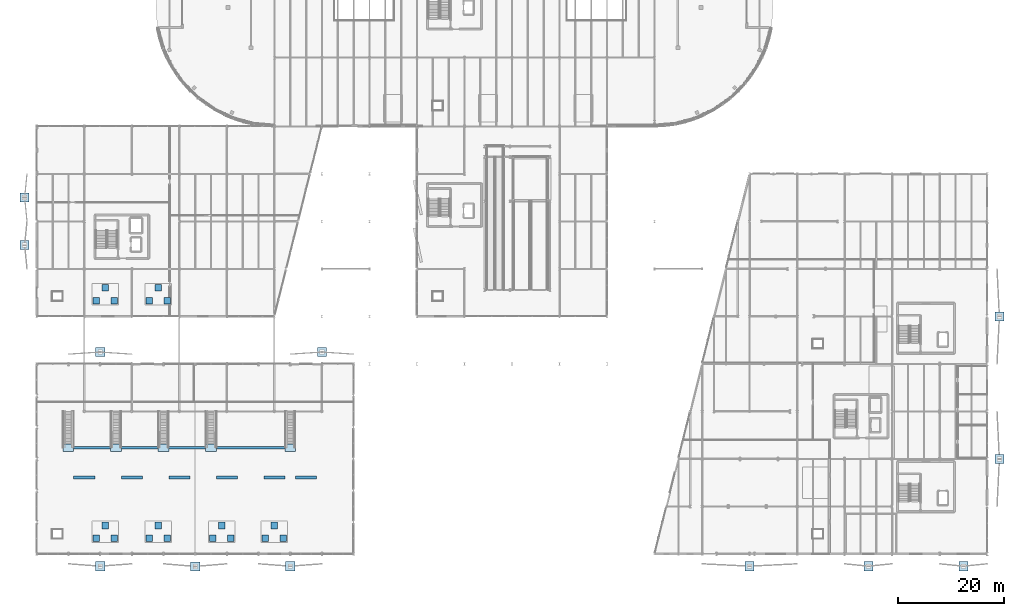
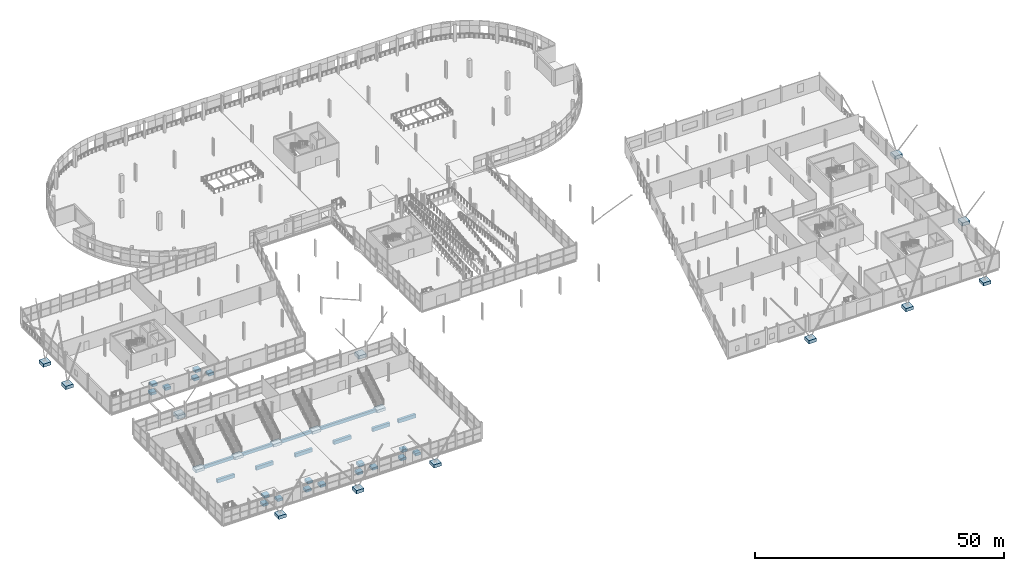
# One storey, part 1 of 140: 45 footings.
"""IFC4 building model written with IfcOpenShell, lengths in metres."""

from ifc_helpers import new_model, si_unit, direction, frame, origin, origin_2d, place, context, subcontext, project, spatial, rectangle, extrude, material, material_profile, profile_set, type_object, element, save


model = new_model("IFC4")

# Units and contexts
model_context = context("Model", 3, precision=1e-05, world=origin(), true_north=direction((0.0, 1.0)))
body_context = subcontext(model_context, "Body", "Model", "MODEL_VIEW")
ifc_project = project(units=[si_unit("LENGTHUNIT", "METRE"), si_unit("AREAUNIT", "SQUARE_METRE"), si_unit("VOLUMEUNIT", "CUBIC_METRE"), si_unit("PLANEANGLEUNIT", "RADIAN"), si_unit("MASSUNIT", "GRAM", prefix="KILO")], contexts=[model_context])

# Site, building, storey
site_placement = place(None, origin())
site = spatial("IfcSite", under=ifc_project, at=site_placement, CompositionType="ELEMENT")
building_placement = place(site_placement, origin())
building = spatial("IfcBuilding", under=site, at=building_placement, Name="Deido Ridge Mobility Hub", CompositionType="ELEMENT")
storey_placement = place(building_placement, origin())
storey = spatial("IfcBuildingStorey", under=building, at=storey_placement, Name="L00", CompositionType="ELEMENT", Elevation=0.0)

# Footings
ifc_material = material(Name="Concrete C40/50", Category="concrete")
footing_type_1 = type_object("IfcFootingType", Name="FTG-PF-1250X1250X650", PredefinedType="PAD_FOOTING", material=ifc_material)
for number, where, z_axis, x_axis, name in (
    (1, (11.300048828125, 3.0, -0.8798828125), (0.0, 0.0, 1.0), (1.0, 0.0, 0.0), "Pad footing PF48"),
    (2, (14.699951171875, 3.0, -0.8798828125), (0.0, 0.0, 1.0), (1.0, 0.0, 0.0), "Pad footing PF48"),
    (3, (13.0, 5.39990234375, -0.8798828125), (0.0, 0.0, 1.0), (1.0, 0.0, 0.0), "Pad footing PF48"),
    (4, (21.300048828125, 3.0, -0.8798828125), (0.0, 0.0, 1.0), (1.0, 0.0, 0.0), "Pad footing PF48"),
    (5, (24.699951171875, 3.0, -0.8798828125), (0.0, 0.0, 1.0), (1.0, 0.0, 0.0), "Pad footing PF48"),
    (6, (23.0, 5.39990234375, -0.8798828125), (0.0, 0.0, 1.0), (1.0, 0.0, 0.0), "Pad footing PF48"),
    (7, (33.300048828125, 3.0, -0.8798828125), (0.0, 0.0, 1.0), (1.0, 0.0, 0.0), "Pad footing PF48"),
    (8, (36.699951171875, 3.0, -0.8798828125), (0.0, 0.0, 1.0), (1.0, 0.0, 0.0), "Pad footing PF48"),
    (9, (35.0, 5.39990234375, -0.8798828125), (0.0, 0.0, 1.0), (1.0, 0.0, 0.0), "Pad footing PF48"),
    (10, (43.300048828125, 3.0, -0.8798828125), (0.0, 0.0, 1.0), (1.0, 0.0, 0.0), "Pad footing PF48"),
    (11, (46.699951171875, 3.0, -0.8798828125), (0.0, 0.0, 1.0), (1.0, 0.0, 0.0), "Pad footing PF48"),
    (12, (45.0, 5.39990234375, -0.8798828125), (0.0, 0.0, 1.0), (1.0, 0.0, 0.0), "Pad footing PF48"),
    (13, (11.300048828125, 48.0, -0.8798828125), (0.0, 0.0, 1.0), (1.0, 0.0, 0.0), "Pad footing PF48"),
    (14, (14.699951171875, 48.0, -0.8798828125), (0.0, 0.0, 1.0), (1.0, 0.0, 0.0), "Pad footing PF48"),
    (15, (13.0, 50.39990234375, -0.8798828125), (0.0, 0.0, 1.0), (1.0, 0.0, 0.0), "Pad footing PF48"),
    (16, (21.300048828125, 48.0, -0.8798828125), (0.0, 0.0, 1.0), (1.0, 0.0, 0.0), "Pad footing PF48"),
    (17, (24.699951171875, 48.0, -0.8798828125), (0.0, 0.0, 1.0), (1.0, 0.0, 0.0), "Pad footing PF48"),
    (18, (23.0, 50.39990234375, -0.8798828125), (0.0, 0.0, 1.0), (1.0, 0.0, 0.0), "Pad footing PF48"),
):
    element("IfcFooting", number, at=place(storey_placement, frame(where, z_axis=z_axis, x_axis=x_axis)), inside=storey, type_object=footing_type_1, Name=name, PredefinedType="PAD_FOOTING", context=body_context, shape_type="SweptSolid", body=[
        extrude(rectangle(XDim=1.25, YDim=1.25, at=origin_2d()), origin(), (0.0, 0.0, 1.0), 0.64990234375),
    ])
footing_type_2 = type_object("IfcFootingType", Name="FTG-PF-1750X1750X800", PredefinedType="PAD_FOOTING", material=ifc_material)
for number, where, z_axis, x_axis, name in (
    (19, (12.0, -2.300048828125, -0.7998046875), (0.0, 0.0, 1.0), (1.0, 0.0, 0.0), "Pad footing PF50"),
    (20, (30.0, -2.35009765625, -0.7998046875), (0.0, 0.0, 1.0), (1.0, 0.0, 0.0), "Pad footing PF50"),
    (21, (48.0, -2.300048828125, -0.7998046875), (0.0, 0.0, 1.0), (1.0, 0.0, 0.0), "Pad footing PF50"),
    (22, (12.0, 38.25, -0.7998046875), (0.0, 0.0, 1.0), (1.0, 0.0, 0.0), "Pad footing PF50"),
    (23, (54.0, 38.25, -0.7998046875), (0.0, 0.0, 1.0), (1.0, 0.0, 0.0), "Pad footing PF50"),
    (24, (-2.300048828125, 58.5, -0.7998046875), (0.0, 0.0, 1.0), (1.0, 0.0, 0.0), "Pad footing PF50"),
    (25, (-2.300048828125, 67.5, -0.7998046875), (0.0, 0.0, 1.0), (1.0, 0.0, 0.0), "Pad footing PF50"),
    (26, (135.0, -2.300048828125, -0.7998046875), (0.0, 0.0, 1.0), (1.0, 0.0, 0.0), "Pad footing PF50"),
    (27, (157.5, -2.300048828125, -0.7998046875), (0.0, 0.0, 1.0), (1.0, 0.0, 0.0), "Pad footing PF50"),
    (28, (175.5, -2.300048828125, -0.7998046875), (0.0, 0.0, 1.0), (1.0, 0.0, 0.0), "Pad footing PF50"),
    (29, (182.300048828125, 18.0, -0.7998046875), (0.0, 0.0, 1.0), (1.0, 0.0, 0.0), "Pad footing PF50"),
    (30, (182.300048828125, 45.0, -0.7998046875), (0.0, 0.0, 1.0), (1.0, 0.0, 0.0), "Pad footing PF50"),
):
    element("IfcFooting", number, at=place(storey_placement, frame(where, z_axis=z_axis, x_axis=x_axis)), inside=storey, type_object=footing_type_2, Name=name, PredefinedType="PAD_FOOTING", context=body_context, shape_type="SweptSolid", body=[
        extrude(rectangle(XDim=1.75, YDim=1.75, at=origin_2d()), origin(), (0.0, 0.0, 1.0), 0.800048828125),
    ])
footing_type_3 = type_object("IfcFootingType", Name="FTG-PF-2000X1400X700", PredefinedType="PAD_FOOTING", material=ifc_material)
for number, where, z_axis, x_axis, name in (
    (31, (6.0, 20.14990234375, -0.9599609375), (0.0, 0.0, 1.0), (1.0, 0.0, 0.0), "Pad footing PF49"),
    (32, (15.0, 20.14990234375, -0.9599609375), (0.0, 0.0, 1.0), (1.0, 0.0, 0.0), "Pad footing PF49"),
    (33, (24.0, 20.14990234375, -0.9599609375), (0.0, 0.0, 1.0), (1.0, 0.0, 0.0), "Pad footing PF49"),
    (34, (33.0, 20.14990234375, -0.9599609375), (0.0, 0.0, 1.0), (1.0, 0.0, 0.0), "Pad footing PF49"),
    (35, (48.0, 20.14990234375, -0.9599609375), (0.0, 0.0, 1.0), (1.0, 0.0, 0.0), "Pad footing PF49"),
):
    element("IfcFooting", number, at=place(storey_placement, frame(where, z_axis=z_axis, x_axis=x_axis)), inside=storey, type_object=footing_type_3, Name=name, PredefinedType="PAD_FOOTING", context=body_context, shape_type="SweptSolid", body=[
        extrude(rectangle(XDim=2.0, YDim=1.39990234375, at=origin_2d()), origin(), (0.0, 0.0, 1.0), 0.699951171875),
    ])
ifc_material_profile_1 = material_profile(ifc_material, rectangle(XDim=0.5, YDim=0.75, at=origin_2d()), Name="RC GB 500x750")
ifc_profile_set_1 = profile_set([ifc_material_profile_1], Name="Concrete C40/50")
footing_type_4 = type_object("IfcFootingType", Name="GB-RC500X750", PredefinedType="FOOTING_BEAM", material=ifc_profile_set_1)
for number, where, z_axis, x_axis, name in (
    (36, (7.0, 20.14990234375, -0.635009765625), (1.0, 0.0, 0.0), (0.0, 1.0, 0.0), "Ground beam GB2"),
    (37, (16.0, 20.14990234375, -0.635009765625), (1.0, 0.0, 0.0), (0.0, 1.0, 0.0), "Ground beam GB2"),
    (38, (25.0, 20.14990234375, -0.635009765625), (1.0, 0.0, 0.0), (0.0, 1.0, 0.0), "Ground beam GB2"),
):
    element("IfcFooting", number, at=place(storey_placement, frame(where, z_axis=z_axis, x_axis=x_axis)), inside=storey, type_object=footing_type_4, Name=name, PredefinedType="FOOTING_BEAM", context=body_context, shape_type="SweptSolid", body=[
        extrude(rectangle(XDim=0.5, YDim=0.75, at=origin_2d()), origin(), (0.0, 0.0, 1.0), 7.0),
    ])
footing_placement = place(storey_placement, frame((34.0, 20.14990234375, -0.635009765625), z_axis=(1.0, 0.0, 0.0), x_axis=(0.0, 1.0, 0.0)))
element("IfcFooting", 39, at=footing_placement, inside=storey, type_object=footing_type_4, Name="Ground beam GB2", PredefinedType="FOOTING_BEAM", context=body_context, shape_type="SweptSolid", body=[
    extrude(rectangle(XDim=0.5, YDim=0.75, at=origin_2d()), origin(), (0.0, 0.0, 1.0), 13.0),
])
ifc_material_profile_2 = material_profile(ifc_material, rectangle(XDim=0.60009765625, YDim=0.85009765625, at=origin_2d()), Name="RC GB 600x850")
ifc_profile_set_2 = profile_set([ifc_material_profile_2], Name="Concrete C40/50")
footing_type_5 = type_object("IfcFootingType", Name="STRIP-FND-900", PredefinedType="STRIP_FOOTING", material=ifc_profile_set_2)
for number, where, z_axis, x_axis, name in (
    (40, (7.0, 14.5, -0.56005859375), (1.0, 0.0, 0.0), (0.0, 1.0, 0.0), "Bus island strip footing SF1-1"),
    (41, (16.0, 14.5, -0.56005859375), (1.0, 0.0, 0.0), (0.0, 1.0, 0.0), "Bus island strip footing SF1-2"),
    (42, (25.0, 14.5, -0.56005859375), (1.0, 0.0, 0.0), (0.0, 1.0, 0.0), "Bus island strip footing SF1-3"),
    (43, (34.0, 14.5, -0.56005859375), (1.0, 0.0, 0.0), (0.0, 1.0, 0.0), "Bus island strip footing SF1-4"),
    (44, (43.0, 14.5, -0.56005859375), (1.0, 0.0, 0.0), (0.0, 1.0, 0.0), "Bus island strip footing SF1-5"),
    (45, (49.0, 14.5, -0.56005859375), (1.0, 0.0, 0.0), (0.0, 1.0, 0.0), "Bus island strip footing SF1-6"),
):
    element("IfcFooting", number, at=place(storey_placement, frame(where, z_axis=z_axis, x_axis=x_axis)), inside=storey, type_object=footing_type_5, Name=name, PredefinedType="STRIP_FOOTING", context=body_context, shape_type="SweptSolid", body=[
        extrude(rectangle(XDim=0.60009765625, YDim=0.85009765625, at=origin_2d()), origin(), (0.0, 0.0, 1.0), 4.0),
    ])

save(model, "model.ifc")
